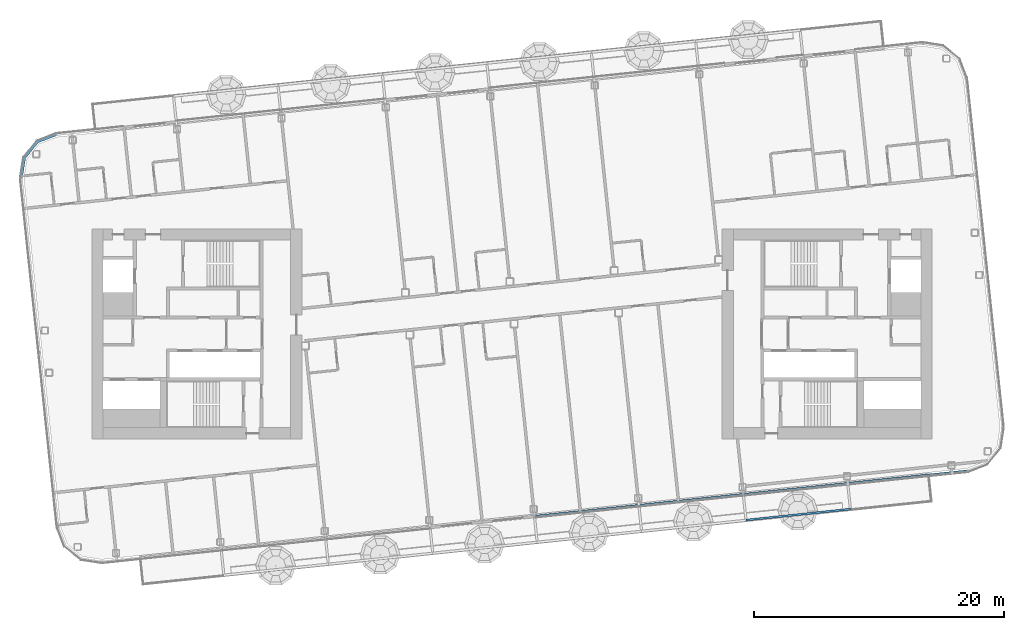
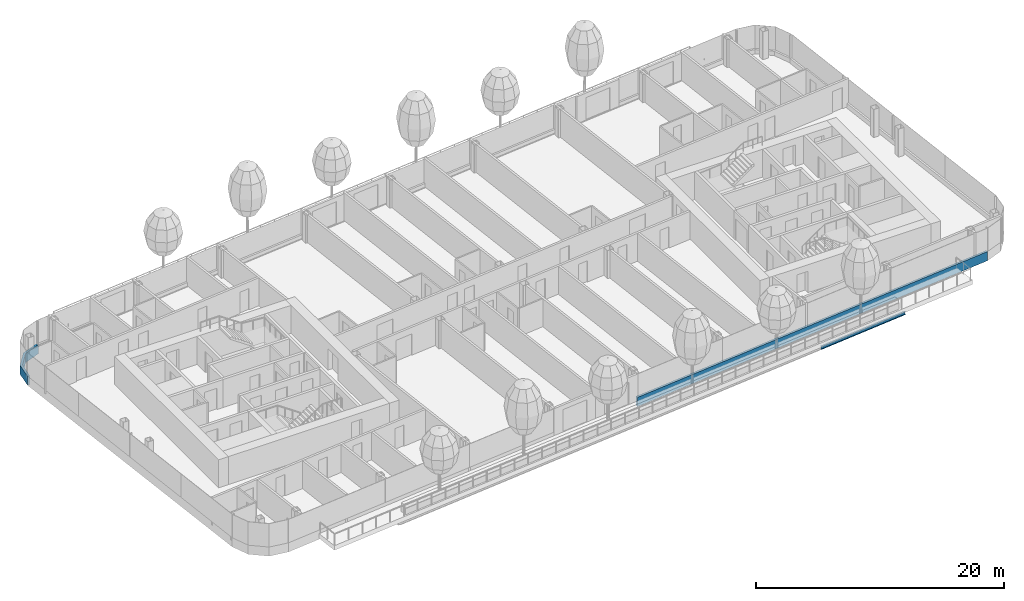
# One storey, part 6 of 30: 2 members, 1 beam, 2 elements without a shape of their own.
"""IFC4 building model written with IfcOpenShell, lengths in metres."""

from ifc_helpers import new_model, si_unit, direction, frame, origin, origin_2d, place, context, subcontext, project, spatial, polyline, rectangle, i_section, outline, extrude, material, layer, layer_set, material_profile, profile_set, type_object, element, aggregate, save


model = new_model("IFC4")

# Units and contexts
model_context = context("Model", 3, precision=1e-05, world=origin(), true_north=direction((0.0, 1.0)))
body_context = subcontext(model_context, "Body", "Model", "MODEL_VIEW")
ifc_project = project(units=[si_unit("LENGTHUNIT", "METRE"), si_unit("AREAUNIT", "SQUARE_METRE"), si_unit("VOLUMEUNIT", "CUBIC_METRE"), si_unit("PLANEANGLEUNIT", "RADIAN"), si_unit("MASSUNIT", "GRAM", prefix="KILO")], contexts=[model_context])

# Site, building, storey
site_placement = place(None, origin())
site = spatial("IfcSite", under=ifc_project, at=site_placement, CompositionType="ELEMENT")
building_placement = place(site_placement, origin())
building = spatial("IfcBuilding", under=site, at=building_placement, Name="Hakoniwa Tower and Hamabe Station Hall", CompositionType="ELEMENT")
storey_placement = place(building_placement, frame((0.0, 0.0, 245.39990234375)))
storey = spatial("IfcBuildingStorey", under=building, at=storey_placement, Name="L69", CompositionType="ELEMENT", Elevation=245.39990234375)

# Beam
ifc_material_1 = material(Name="Steel SN490B", Category="steel")
ifc_material_profile_1 = material_profile(ifc_material_1, i_section(OverallWidth=0.14990234375, OverallDepth=0.300048828125, WebThickness=0.006591796875, FlangeThickness=0.009033203125, FilletRadius=0.012939453125, at=origin_2d()), Name="H-300x150x6.5x9")
ifc_profile_set_1 = profile_set([ifc_material_profile_1], Name="Steel SN490B")
beam_type = type_object("IfcBeamType", Name="BALCONY EDGE BEAM H-300x150x6.5x9", PredefinedType="BEAM", material=ifc_profile_set_1)
beam_placement = place(storey_placement, frame((18.72021484375, -14.888427734375, -0.599853515625), z_axis=(0.994523275226, 0.104515333968, 0.0), x_axis=(-0.104515333968, 0.994523275226, 0.0)))
element("IfcBeam", 1, at=beam_placement, inside=storey, type_object=beam_type, Name="Balcony edge beam B5-9-A5-B5-10-A5", PredefinedType="BEAM", context=body_context, shape_type="SweptSolid", body=[
    extrude(i_section(OverallWidth=0.14990234375, OverallDepth=0.300048828125, WebThickness=0.006591796875, FlangeThickness=0.009033203125, FilletRadius=0.012939453125, at=origin_2d()), origin(), (0.0, 0.0, 1.0), 8.39990234375),
])

# Curtain wall, member
ifc_material_2 = material(Name="Dark low-e laminated glass", Category="glass")
ifc_layer = layer(ifc_material_2, 0.199951171875)
ifc_layer_set = layer_set([ifc_layer], Name="CW-1 UNITISED GUEST")
curtain_wall_type = type_object("IfcCurtainWallType", Name="CW-1 UNITISED GUEST", PredefinedType="NOTDEFINED", material=ifc_layer_set)
curtain_wall_1_placement = place(storey_placement, origin())
curtain_wall_1 = element("IfcCurtainWall", 2, at=curtain_wall_1_placement, inside=storey, type_object=curtain_wall_type, Name="CW-1 curtain wall", PredefinedType="NOTDEFINED")
ifc_material_3 = material(Name="Aluminium 6063-T5 black anodised", Category="aluminium")
ifc_material_profile_2 = material_profile(ifc_material_3, rectangle(XDim=0.199951171875, YDim=0.89990234375, at=origin_2d()), Name="CW SLAB-EDGE BAND 900X200")
ifc_profile_set_2 = profile_set([ifc_material_profile_2], Name="Aluminium 6063-T5 black anodised")
member_type = type_object("IfcMemberType", Name="CW SLAB-EDGE BAND 900X200", PredefinedType="USERDEFINED", material=ifc_profile_set_2)
member_1_placement = place(storey_placement, frame((0.0, 0.0, -0.5498046875)))
member_1 = element("IfcMember", 3, at=member_1_placement, type_object=member_type, Name="CW-1 transom", ObjectType="TRANSOM", PredefinedType="USERDEFINED", context=body_context, shape_type="SweptSolid", body=[
    extrude(outline(polyline([(-36.45703125, 16.0634765625), (-38.0185546875, 15.464111328125), (-39.09716796875, 14.13232421875), (-39.35888671875, 12.47998046875), (-39.161376953125, 12.44873046875), (-38.907958984375, 14.048095703125), (-37.89697265625, 15.296630859375), (-36.38525390625, 15.876708984375), (-36.45703125, 16.0634765625)])), origin(), (0.0, 0.0, 1.0), 0.89990234375),
])
aggregate(curtain_wall_1, [member_1])

curtain_wall_2_placement = place(storey_placement, origin())
curtain_wall_2 = element("IfcCurtainWall", 4, at=curtain_wall_2_placement, inside=storey, type_object=curtain_wall_type, Name="CW-1 curtain wall", PredefinedType="NOTDEFINED")
member_2_placement = place(storey_placement, frame((1.73828125, -14.612060546875, -0.099853515625), z_axis=(0.994521999802, 0.104527469638, 0.0), x_axis=(-0.104527469638, 0.994521999802, 0.0)))
member_2 = element("IfcMember", 5, at=member_2_placement, type_object=member_type, Name="CW-1 transom", ObjectType="TRANSOM", PredefinedType="USERDEFINED", context=body_context, shape_type="SweptSolid", body=[
    extrude(rectangle(XDim=0.199951171875, YDim=0.89990234375, at=origin_2d()), origin(), (0.0, 0.0, 1.0), 34.8994140625),
])
aggregate(curtain_wall_2, [member_2])

save(model, "model.ifc")
